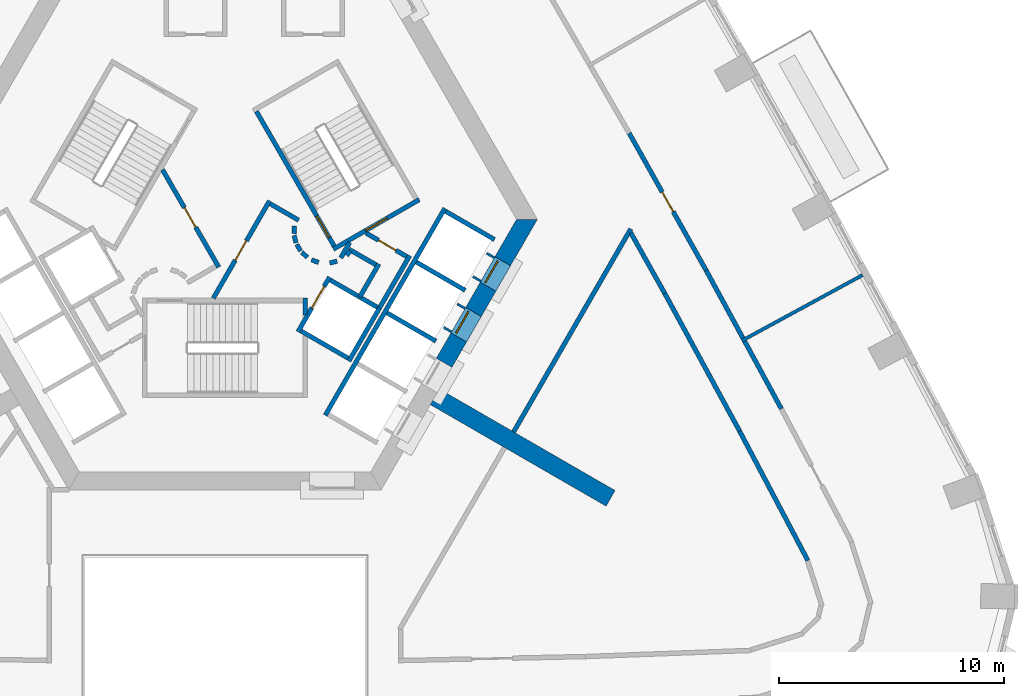
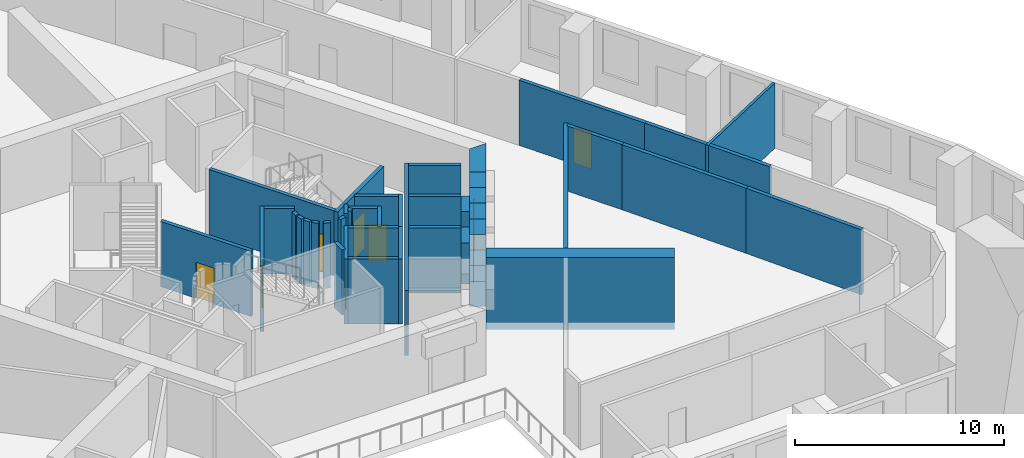
# One storey, part 7 of 14: 42 walls, 9 doors, 9 openings.
"""IFC4 building model written with IfcOpenShell, lengths in metres."""

from ifc_helpers import new_model, si_unit, direction, frame, frame_2d, origin, place, context, subcontext, project, spatial, polyline, rectangle, outline, extrude, material, layer, layer_set, type_object, element, fill, save


model = new_model("IFC4")

# Units and contexts
model_context = context("Model", 3, precision=1e-05, world=origin(), true_north=direction((0.0, 1.0)))
body_context = subcontext(model_context, "Body", "Model", "MODEL_VIEW")
ifc_project = project(units=[si_unit("LENGTHUNIT", "METRE"), si_unit("AREAUNIT", "SQUARE_METRE"), si_unit("VOLUMEUNIT", "CUBIC_METRE"), si_unit("PLANEANGLEUNIT", "RADIAN"), si_unit("MASSUNIT", "GRAM", prefix="KILO")], contexts=[model_context])

# Site, building, storey
site_placement = place(None, origin())
site = spatial("IfcSite", under=ifc_project, at=site_placement, CompositionType="ELEMENT")
building_placement = place(site_placement, origin())
building = spatial("IfcBuilding", under=site, at=building_placement, Name="Entoto Arch Interchange Tower", CompositionType="ELEMENT")
storey_placement = place(building_placement, frame((0.0, 0.0, 163.39990234375)))
storey = spatial("IfcBuildingStorey", under=building, at=storey_placement, Name="L36", CompositionType="ELEMENT", Elevation=163.39990234375)

# Walls
ifc_material_1 = material(Name="Concrete C50/60", Category="concrete")
ifc_layer_1 = layer(ifc_material_1, 0.800048828125)
ifc_layer_set_1 = layer_set([ifc_layer_1], Name="Concrete C50/60")
wall_type_1 = type_object("IfcWallType", Name="Buttress wall 800 C50/60", PredefinedType="SHEAR", material=ifc_layer_set_1)
wall_1_placement = place(storey_placement, frame((9.31005859375, -5.375, -0.39990234375), z_axis=(0.0, 0.0, 1.0), x_axis=(0.866017533419, -0.500013631625, 0.0)))
element("IfcWall", 1, at=wall_1_placement, inside=storey, type_object=wall_type_1, Name="Buttress wall SE L36", PredefinedType="SHEAR", context=body_context, shape_type="SweptSolid", body=[
    extrude(rectangle(XDim=8.999755859375, YDim=0.800048828125, at=frame_2d((4.5, 0.0))), origin(), (0.0, 0.0, 1.0), 4.199951171875),
])
ifc_layer_2 = layer(ifc_material_1, 0.800048828125)
ifc_layer_set_2 = layer_set([ifc_layer_2], Name="Concrete C50/60")
wall_type_2 = type_object("IfcWallType", Name="Core wall 800 C50/60", PredefinedType="SHEAR", material=ifc_layer_set_2)
wall_2_placement = place(storey_placement, frame((0.0, 0.0, -0.39990234375)))
element("IfcWall", 2, at=wall_2_placement, inside=storey, type_object=wall_type_2, Name="Core wall SE L36", PredefinedType="SHEAR", context=body_context, shape_type="SweptSolid", body=[
    extrude(outline(polyline([(10.717041015625, -2.93701171875), (10.02490234375, -2.537109375), (9.3740234375, -3.6630859375), (10.06689453125, -4.06298828125), (10.717041015625, -2.93701171875)])), origin(), (0.0, 0.0, 1.0), 4.199951171875),
])
wall_3_placement = place(storey_placement, frame((0.0, 0.0, -0.39990234375)))
element("IfcWall", 3, at=wall_3_placement, inside=storey, type_object=wall_type_2, Name="Core wall SE L36", PredefinedType="SHEAR", context=body_context, shape_type="SweptSolid", body=[
    extrude(outline(polyline([(12.01708984375, -0.68603515625), (11.323974609375, -0.285888671875), (10.675048828125, -1.410888671875), (11.366943359375, -1.81103515625), (12.01708984375, -0.68603515625)])), origin(), (0.0, 0.0, 1.0), 4.199951171875),
])
wall_4_placement = place(storey_placement, frame((0.0, 0.0, -0.39990234375)))
element("IfcWall", 4, at=wall_4_placement, inside=storey, type_object=wall_type_2, Name="Core wall SE L36", PredefinedType="SHEAR", context=body_context, shape_type="SweptSolid", body=[
    extrude(outline(polyline([(11.97412109375, 0.840087890625), (12.6669921875, 0.43994140625), (13.85595703125, 2.5), (12.93310546875, 2.5), (11.97412109375, 0.840087890625)])), origin(), (0.0, 0.0, 1.0), 4.199951171875),
])
wall_5_placement = place(storey_placement, frame((0.0, 0.0, 3.60009765625)))
element("IfcWall", 5, at=wall_5_placement, inside=storey, type_object=wall_type_2, Name="Core wall lintel SE L36", PredefinedType="SHEAR", context=body_context, shape_type="SweptSolid", body=[
    extrude(outline(polyline([(11.366943359375, -1.81103515625), (10.675048828125, -1.410888671875), (10.02490234375, -2.537109375), (10.717041015625, -2.93701171875), (11.366943359375, -1.81103515625)])), origin(), (0.0, 0.0, 1.0), 0.199951171875),
])
wall_6_placement = place(storey_placement, frame((0.0, 0.0, 3.60009765625)))
element("IfcWall", 6, at=wall_6_placement, inside=storey, type_object=wall_type_2, Name="Core wall lintel SE L36", PredefinedType="SHEAR", context=body_context, shape_type="SweptSolid", body=[
    extrude(outline(polyline([(12.6669921875, 0.43994140625), (11.97412109375, 0.840087890625), (11.323974609375, -0.285888671875), (12.01708984375, -0.68603515625), (12.6669921875, 0.43994140625)])), origin(), (0.0, 0.0, 1.0), 0.199951171875),
])

# Wall, opening, door
ifc_material_2 = material(Name="Concrete C40/50", Category="concrete")
ifc_layer_3 = layer(ifc_material_2, 1.199951171875)
ifc_layer_set_3 = layer_set([ifc_layer_3], Name="Concrete C40/50")
wall_type_3 = type_object("IfcWallType", Name="LIFT LANDING INFILL WALL", PredefinedType="STANDARD", material=ifc_layer_set_3)
wall_7_placement = place(storey_placement, frame((10.197998046875, -2.636962890625, 0.0), z_axis=(0.0, 0.0, 1.0), x_axis=(0.49989585183, 0.866085525409, 0.0)))
wall_7 = element("IfcWall", 7, at=wall_7_placement, inside=storey, type_object=wall_type_3, Name="Lift landing infill wall LR7 L36", PredefinedType="STANDARD", context=body_context, shape_type="SweptSolid", body=[
    extrude(rectangle(XDim=1.300048828125, YDim=1.199951171875, at=frame_2d((0.64990234375, 0.0))), origin(), (0.0, 0.0, 1.0), 2.400146484375),
])
opening_1_placement = place(wall_7_placement, frame((0.10009765625, 0.0, 0.0)))
opening_1 = element("IfcOpeningElement", 8, at=opening_1_placement, cuts=wall_7, Name="Opening LD-LR7-L36", PredefinedType="OPENING", context=body_context, shape_type="SweptSolid", body=[
    extrude(rectangle(XDim=1.10009765625, YDim=2.300048828125, at=frame_2d((0.550048828125, 1.14990234375))), frame((0.0, 0.60986328125, 0.0), z_axis=(0.0, -1.0, 0.0), x_axis=(1.0, 0.0, 0.0)), (0.0, 0.0, 1.0), 1.219970703125),
])
ifc_material_3 = material(Name="Stainless steel 1.4301 panels", Category="steel")
door_type_1 = type_object("IfcDoorType", Name="LIFT LANDING DOOR LD2 1100x2300", OperationType="SLIDING_TO_LEFT", PredefinedType="DOOR", material=ifc_material_3)
door_1_placement = place(opening_1_placement, origin())
door_1 = element("IfcDoor", 9, at=door_1_placement, inside=storey, type_object=door_type_1, Name="Lift landing door LR7 L36", OperationType="SLIDING_TO_LEFT", OverallHeight=2.300048828125, OverallWidth=1.10009765625, PredefinedType="DOOR", context=body_context, shape_type="SweptSolid", body=[
    extrude(rectangle(XDim=1.10009765625, YDim=2.300048828125, at=frame_2d((0.550048828125, 1.14990234375))), frame((0.0, 0.02490234375, 0.0), z_axis=(0.0, -1.0, 0.0), x_axis=(1.0, 0.0, 0.0)), (0.0, 0.0, 1.0), 0.050048828125),
])
fill(opening_1, door_1)

wall_8_placement = place(storey_placement, frame((11.498046875, -0.385009765625, 0.0), z_axis=(0.0, 0.0, 1.0), x_axis=(0.500221244143, 0.865897630733, 0.0)))
wall_8 = element("IfcWall", 10, at=wall_8_placement, inside=storey, type_object=wall_type_3, Name="Lift landing infill wall LR8 L36", PredefinedType="STANDARD", context=body_context, shape_type="SweptSolid", body=[
    extrude(rectangle(XDim=1.29931640625, YDim=1.199951171875, at=frame_2d((0.649658203125, 0.0))), origin(), (0.0, 0.0, 1.0), 2.400146484375),
])
opening_2_placement = place(wall_8_placement, frame((0.10009765625, 0.0, 0.0)))
opening_2 = element("IfcOpeningElement", 11, at=opening_2_placement, cuts=wall_8, Name="Opening LD-LR8-L36", PredefinedType="OPENING", context=body_context, shape_type="SweptSolid", body=[
    extrude(rectangle(XDim=1.10009765625, YDim=2.300048828125, at=frame_2d((0.550048828125, 1.14990234375))), frame((0.0, 0.60986328125, 0.0), z_axis=(0.0, -1.0, 0.0), x_axis=(1.0, 0.0, 0.0)), (0.0, 0.0, 1.0), 1.219970703125),
])
door_2_placement = place(opening_2_placement, origin())
door_2 = element("IfcDoor", 12, at=door_2_placement, inside=storey, type_object=door_type_1, Name="Lift landing door LR8 L36", OperationType="SLIDING_TO_LEFT", OverallHeight=2.300048828125, OverallWidth=1.10009765625, PredefinedType="DOOR", context=body_context, shape_type="SweptSolid", body=[
    extrude(rectangle(XDim=1.10009765625, YDim=2.300048828125, at=frame_2d((0.550048828125, 1.14990234375))), frame((0.0, 0.02490234375, 0.0), z_axis=(0.0, -1.0, 0.0), x_axis=(1.0, 0.0, 0.0)), (0.0, 0.0, 1.0), 0.050048828125),
])
fill(opening_2, door_2)

ifc_layer_4 = layer(ifc_material_2, 0.199951171875)
ifc_layer_set_4 = layer_set([ifc_layer_4], Name="Concrete C40/50")
wall_type_4 = type_object("IfcWallType", Name="LIFT SHAFT WALL 200", PredefinedType="STANDARD", material=ifc_layer_set_4)
wall_9_placement = place(storey_placement, frame((3.239990234375, -2.488037109375, 0.0), z_axis=(0.0, 0.0, 1.0), x_axis=(0.49994636267, 0.866056369097, 0.0)))
wall_9 = element("IfcWall", 13, at=wall_9_placement, inside=storey, type_object=wall_type_4, Name="Shaft wall SE1 front", PredefinedType="STANDARD", context=body_context, shape_type="SweptSolid", body=[
    extrude(rectangle(XDim=2.800048828125, YDim=0.199951171875, at=frame_2d((1.39990234375, 0.0))), origin(), (0.0, 0.0, 1.0), 3.800048828125),
])
opening_3_placement = place(wall_9_placement, frame((1.22509765625, 0.0, 0.0)))
opening_3 = element("IfcOpeningElement", 14, at=opening_3_placement, cuts=wall_9, Name="Opening LD-FF1-L36", PredefinedType="OPENING", context=body_context, shape_type="SweptSolid", body=[
    extrude(rectangle(XDim=1.10009765625, YDim=2.10009765625, at=frame_2d((0.550048828125, 1.050048828125))), frame((0.0, 0.10986328125, 0.0), z_axis=(0.0, -1.0, 0.0), x_axis=(1.0, 0.0, 0.0)), (0.0, 0.0, 1.0), 0.219970703125),
])
door_type_2 = type_object("IfcDoorType", Name="LIFT LANDING DOOR LD1 1100x2100", OperationType="SLIDING_TO_LEFT", PredefinedType="DOOR", material=ifc_material_3)
door_3_placement = place(opening_3_placement, origin())
door_3 = element("IfcDoor", 15, at=door_3_placement, inside=storey, type_object=door_type_2, Name="Lift landing door FF1 L36", OperationType="SLIDING_TO_LEFT", OverallHeight=2.10009765625, OverallWidth=1.10009765625, PredefinedType="DOOR", context=body_context, shape_type="SweptSolid", body=[
    extrude(rectangle(XDim=1.10009765625, YDim=2.10009765625, at=frame_2d((0.550048828125, 1.050048828125))), frame((0.0, 0.02490234375, 0.0), z_axis=(0.0, -1.0, 0.0), x_axis=(1.0, 0.0, 0.0)), (0.0, 0.0, 1.0), 0.050048828125),
])
fill(opening_3, door_3)

# Walls
wall_10_placement = place(storey_placement, frame((5.491943359375, -3.7880859375, 0.0), z_axis=(0.0, 0.0, 1.0), x_axis=(0.500011755427, 0.866018616679, 0.0)))
element("IfcWall", 16, at=wall_10_placement, inside=storey, type_object=wall_type_4, Name="Shaft wall SE1 back", PredefinedType="STANDARD", context=body_context, shape_type="SweptSolid", body=[
    extrude(rectangle(XDim=2.80029296875, YDim=0.199951171875, at=frame_2d((1.400146484375, 0.0))), origin(), (0.0, 0.0, 1.0), 3.800048828125),
])
wall_11_placement = place(storey_placement, frame((3.376953125, -2.451904296875, 0.0), z_axis=(0.0, 0.0, 1.0), x_axis=(0.865955154139, -0.50012165622, 0.0)))
element("IfcWall", 17, at=wall_11_placement, inside=storey, type_object=wall_type_4, Name="Shaft wall SE1 cross 1", PredefinedType="STANDARD", context=body_context, shape_type="SweptSolid", body=[
    extrude(rectangle(XDim=2.39990234375, YDim=0.199951171875, at=frame_2d((1.199951171875, 0.0))), origin(), (0.0, 0.0, 1.0), 3.800048828125),
])
wall_12_placement = place(storey_placement, frame((4.677001953125, -0.199951171875, 0.0), z_axis=(0.0, 0.0, 1.0), x_axis=(0.865973769406, -0.500089422704, 0.0)))
element("IfcWall", 18, at=wall_12_placement, inside=storey, type_object=wall_type_4, Name="Shaft wall SE1 cross 2", PredefinedType="STANDARD", context=body_context, shape_type="SweptSolid", body=[
    extrude(rectangle(XDim=2.3994140625, YDim=0.199951171875, at=frame_2d((1.19970703125, 0.0))), origin(), (0.0, 0.0, 1.0), 3.800048828125),
])
wall_13_placement = place(storey_placement, frame((4.450927734375, -6.18994140625, 0.0), z_axis=(0.0, 0.0, 1.0), x_axis=(0.50000090737, 0.866024879913, 0.0)))
element("IfcWall", 19, at=wall_13_placement, inside=storey, type_object=wall_type_4, Name="Shaft wall SE3 front", PredefinedType="STANDARD", context=body_context, shape_type="SweptSolid", body=[
    extrude(rectangle(XDim=10.60009765625, YDim=0.199951171875, at=frame_2d((5.300048828125, 0.0))), origin(), (0.0, 0.0, 1.0), 3.800048828125),
])
for number, where, z_axis, x_axis, name in (
    (20, (7.18798828125, -1.64990234375, 0.0), (0.0, 0.0, 1.0), (0.866022959057, -0.500004234368, 0.0), "Shaft wall SE3 cross 3"),
    (21, (8.488037109375, 0.60205078125, 0.0), (0.0, 0.0, 1.0), (0.866022959057, -0.500004234368, 0.0), "Shaft wall SE3 cross 4"),
):
    element("IfcWall", number, at=place(storey_placement, frame(where, z_axis=z_axis, x_axis=x_axis)), inside=storey, type_object=wall_type_4, Name=name, PredefinedType="STANDARD", context=body_context, shape_type="SweptSolid", body=[
        extrude(rectangle(XDim=2.5, YDim=0.199951171875, at=frame_2d((1.25, 0.0))), origin(), (0.0, 0.0, 1.0), 3.800048828125),
    ])
wall_14_placement = place(storey_placement, frame((9.7880859375, 2.85302734375, 0.0), z_axis=(0.0, 0.0, 1.0), x_axis=(0.865998541277, -0.500046524342, 0.0)))
element("IfcWall", 22, at=wall_14_placement, inside=storey, type_object=wall_type_4, Name="Shaft wall SE3 cross 5", PredefinedType="STANDARD", context=body_context, shape_type="SweptSolid", body=[
    extrude(rectangle(XDim=2.499755859375, YDim=0.199951171875, at=frame_2d((1.25, 0.0))), origin(), (0.0, 0.0, 1.0), 3.800048828125),
])
ifc_material_4 = material(Name="Gypsum board partition on steel studs", Category="steel")
ifc_layer_5 = layer(ifc_material_4, 0.14990234375)
ifc_layer_set_5 = layer_set([ifc_layer_5], Name="Gypsum board partition on steel studs")
wall_type_5 = type_object("IfcWallType", Name="PARTITION 150", PredefinedType="PARTITIONING", material=ifc_layer_set_5)
wall_15_placement = place(storey_placement, frame((22.924072265625, -2.885009765625, 0.0), z_axis=(0.0, 0.0, 1.0), x_axis=(0.878512782244, 0.477718841406, 0.0)))
element("IfcWall", 23, at=wall_15_placement, inside=storey, type_object=wall_type_5, Name="wall:L36:p136", PredefinedType="PARTITIONING", context=body_context, shape_type="SweptSolid", body=[
    extrude(rectangle(XDim=6.099853515625, YDim=0.14990234375, at=frame_2d((3.0498046875, 0.0))), origin(), (0.0, 0.0, 1.0), 3.800048828125),
])
ifc_layer_6 = layer(ifc_material_4, 0.199951171875)
ifc_layer_set_6 = layer_set([ifc_layer_6], Name="Gypsum board partition on steel studs")
wall_type_6 = type_object("IfcWallType", Name="PARTITION 200", PredefinedType="PARTITIONING", material=ifc_layer_set_6)
wall_16_placement = place(storey_placement, frame((25.85400390625, -12.635009765625, 0.0), z_axis=(0.0, 0.0, 1.0), x_axis=(-0.466483047656, 0.884530138689, 0.0)))
element("IfcWall", 24, at=wall_16_placement, inside=storey, type_object=wall_type_6, Name="wall:L36:p024", PredefinedType="PARTITIONING", context=body_context, shape_type="SweptSolid", body=[
    extrude(rectangle(XDim=6.487060546875, YDim=0.199951171875, at=frame_2d((3.24365234375, 0.0))), origin(), (0.0, 0.0, 1.0), 3.800048828125),
])
wall_17_placement = place(storey_placement, frame((22.827880859375, -6.89697265625, 0.0), z_axis=(0.0, 0.0, 1.0), x_axis=(-0.477513909405, 0.878624189472, 0.0)))
element("IfcWall", 25, at=wall_17_placement, inside=storey, type_object=wall_type_6, Name="wall:L36:p025", PredefinedType="PARTITIONING", context=body_context, shape_type="SweptSolid", body=[
    extrude(rectangle(XDim=6.956298828125, YDim=0.199951171875, at=frame_2d((3.47802734375, 0.0))), origin(), (0.0, 0.0, 1.0), 3.800048828125),
])
wall_18_placement = place(storey_placement, frame((19.506103515625, -0.784912109375, 0.0), z_axis=(0.0, 0.0, 1.0), x_axis=(-0.489049603292, 0.872255974769, 0.0)))
element("IfcWall", 26, at=wall_18_placement, inside=storey, type_object=wall_type_6, Name="wall:L36:p026", PredefinedType="PARTITIONING", context=body_context, shape_type="SweptSolid", body=[
    extrude(rectangle(XDim=3.08154296875, YDim=0.199951171875, at=frame_2d((1.540771484375, 0.0))), origin(), (0.0, 0.0, 1.0), 3.800048828125),
])
wall_19_placement = place(storey_placement, frame((23.048095703125, -2.903076171875, 0.0), z_axis=(0.0, 0.0, 1.0), x_axis=(0.477470161865, -0.878647963936, 0.0)))
element("IfcWall", 27, at=wall_19_placement, inside=storey, type_object=wall_type_6, Name="wall:L36:p046", PredefinedType="PARTITIONING", context=body_context, shape_type="SweptSolid", body=[
    extrude(rectangle(XDim=3.417724609375, YDim=0.199951171875, at=frame_2d((1.708984375, 0.0))), origin(), (0.0, 0.0, 1.0), 3.800048828125),
])

# Wall, opening, door
wall_20_placement = place(storey_placement, frame((17.929931640625, 6.321044921875, 0.0), z_axis=(0.0, 0.0, 1.0), x_axis=(0.489044053781, -0.872259086202, 0.0)))
wall_20 = element("IfcWall", 28, at=wall_20_placement, inside=storey, type_object=wall_type_6, Name="wall:L36:p053", PredefinedType="PARTITIONING", context=body_context, shape_type="SweptSolid", body=[
    extrude(rectangle(XDim=6.983154296875, YDim=0.199951171875, at=frame_2d((3.49169921875, 0.0))), origin(), (0.0, 0.0, 1.0), 3.800048828125),
])
opening_4_placement = place(wall_20_placement, frame((2.990966796875, 0.0, 0.0)))
opening_4 = element("IfcOpeningElement", 29, at=opening_4_placement, cuts=wall_20, Name="Opening L36-D04", PredefinedType="OPENING", context=body_context, shape_type="SweptSolid", body=[
    extrude(rectangle(XDim=1.0, YDim=2.10009765625, at=frame_2d((0.5, 1.050048828125))), frame((0.0, 0.10986328125, 0.0), z_axis=(0.0, -1.0, 0.0), x_axis=(1.0, 0.0, 0.0)), (0.0, 0.0, 1.0), 0.219970703125),
])
ifc_material_5 = material(Name="Timber door leaf in Steel S235 frame", Category="steel")
door_type_3 = type_object("IfcDoorType", Name="DOOR DS-10 1000x2100", OperationType="SINGLE_SWING_LEFT", PredefinedType="DOOR", material=ifc_material_5)
door_4_placement = place(opening_4_placement, origin())
door_4 = element("IfcDoor", 30, at=door_4_placement, inside=storey, type_object=door_type_3, Name="door:L36:04", OperationType="SINGLE_SWING_LEFT", OverallHeight=2.10009765625, OverallWidth=1.0, PredefinedType="DOOR", context=body_context, shape_type="SweptSolid", body=[
    extrude(rectangle(XDim=1.0, YDim=2.10009765625, at=frame_2d((0.5, 1.050048828125))), frame((0.0, 0.02490234375, 0.0), z_axis=(0.0, -1.0, 0.0), x_axis=(1.0, 0.0, 0.0)), (0.0, 0.0, 1.0), 0.050048828125),
])
fill(opening_4, door_4)

# Walls
wall_21_placement = place(storey_placement, frame((21.344970703125, 0.22998046875, 0.0), z_axis=(0.0, 0.0, 1.0), x_axis=(0.477544508622, -0.878607558746, 0.0)))
element("IfcWall", 31, at=wall_21_placement, inside=storey, type_object=wall_type_6, Name="wall:L36:p054", PredefinedType="PARTITIONING", context=body_context, shape_type="SweptSolid", body=[
    extrude(rectangle(XDim=3.41552734375, YDim=0.199951171875, at=frame_2d((1.707763671875, 0.0))), origin(), (0.0, 0.0, 1.0), 3.800048828125),
])
wall_22_placement = place(storey_placement, frame((5.389892578125, 0.89794921875, 0.0), z_axis=(0.0, 0.0, 1.0), x_axis=(0.673828488714, 0.738887791073, 0.0)))
element("IfcWall", 32, at=wall_22_placement, inside=storey, type_object=wall_type_6, Name="wall:L36:p086", PredefinedType="PARTITIONING", context=body_context, shape_type="SweptSolid", body=[
    extrude(rectangle(XDim=0.2626953125, YDim=0.199951171875, at=frame_2d((0.13134765625, 0.0))), origin(), (0.0, 0.0, 1.0), 3.800048828125),
])
wall_23_placement = place(storey_placement, frame((5.4990234375, 1.172119140625, 0.0), z_axis=(0.0, 0.0, 1.0), x_axis=(0.866333505267, -0.499465972466, 0.0)))
element("IfcWall", 33, at=wall_23_placement, inside=storey, type_object=wall_type_6, Name="wall:L36:p087", PredefinedType="PARTITIONING", context=body_context, shape_type="SweptSolid", body=[
    extrude(rectangle(XDim=1.37353515625, YDim=0.199951171875, at=frame_2d((0.686767578125, 0.0))), origin(), (0.0, 0.0, 1.0), 3.800048828125),
])
wall_24_placement = place(storey_placement, frame((6.825927734375, 0.52197265625, 0.0), z_axis=(0.0, 0.0, 1.0), x_axis=(-0.500016722714, -0.866015748706, 0.0)))
element("IfcWall", 34, at=wall_24_placement, inside=storey, type_object=wall_type_6, Name="wall:L36:p088", PredefinedType="PARTITIONING", context=body_context, shape_type="SweptSolid", body=[
    extrude(rectangle(XDim=1.69970703125, YDim=0.199951171875, at=frame_2d((0.849853515625, 0.0))), origin(), (0.0, 0.0, 1.0), 3.800048828125),
])

# Wall, opening, door
wall_25_placement = place(storey_placement, frame((6.25, 1.89404296875, 0.0), z_axis=(0.0, 0.0, 1.0), x_axis=(0.866043184279, -0.499969202016, 0.0)))
wall_25 = element("IfcWall", 35, at=wall_25_placement, inside=storey, type_object=wall_type_6, Name="wall:L36:p089", PredefinedType="PARTITIONING", context=body_context, shape_type="SweptSolid", body=[
    extrude(rectangle(XDim=2.084228515625, YDim=0.199951171875, at=frame_2d((1.0419921875, 0.0))), origin(), (0.0, 0.0, 1.0), 3.800048828125),
])
opening_5_placement = place(wall_25_placement, frame((0.64208984375, 0.0, 0.0)))
opening_5 = element("IfcOpeningElement", 36, at=opening_5_placement, cuts=wall_25, Name="Opening L36-D29", PredefinedType="OPENING", context=body_context, shape_type="SweptSolid", body=[
    extrude(rectangle(XDim=0.89990234375, YDim=2.10009765625, at=frame_2d((0.449951171875, 1.050048828125))), frame((0.0, 0.10986328125, 0.0), z_axis=(0.0, -1.0, 0.0), x_axis=(1.0, 0.0, 0.0)), (0.0, 0.0, 1.0), 0.219970703125),
])
door_type_4 = type_object("IfcDoorType", Name="DOOR DS-09 900x2100", OperationType="SINGLE_SWING_LEFT", PredefinedType="DOOR", material=ifc_material_5)
door_5_placement = place(opening_5_placement, origin())
door_5 = element("IfcDoor", 37, at=door_5_placement, inside=storey, type_object=door_type_4, Name="door:L36:29", OperationType="SINGLE_SWING_LEFT", OverallHeight=2.10009765625, OverallWidth=0.89990234375, PredefinedType="DOOR", context=body_context, shape_type="SweptSolid", body=[
    extrude(rectangle(XDim=0.89990234375, YDim=2.10009765625, at=frame_2d((0.449951171875, 1.050048828125))), frame((0.0, 0.02490234375, 0.0), z_axis=(0.0, -1.0, 0.0), x_axis=(1.0, 0.0, 0.0)), (0.0, 0.0, 1.0), 0.050048828125),
])
fill(opening_5, door_5)

# Walls
wall_26_placement = place(storey_placement, frame((8.19189453125, 0.887939453125, 0.0), z_axis=(0.0, 0.0, 1.0), x_axis=(-0.499940625693, -0.866059680843, 0.0)))
element("IfcWall", 38, at=wall_26_placement, inside=storey, type_object=wall_type_6, Name="wall:L36:p090", PredefinedType="PARTITIONING", context=body_context, shape_type="SweptSolid", body=[
    extrude(rectangle(XDim=2.679931640625, YDim=0.199951171875, at=frame_2d((1.33984375, 0.0))), origin(), (0.0, 0.0, 1.0), 3.800048828125),
])
wall_27_placement = place(storey_placement, frame((5.135009765625, 0.79296875, 0.0), z_axis=(0.0, 0.0, 1.0), x_axis=(0.499526442893, 0.866298639529, 0.0)))
element("IfcWall", 39, at=wall_27_placement, inside=storey, type_object=wall_type_6, Name="wall:L36:p091", PredefinedType="PARTITIONING", context=body_context, shape_type="SweptSolid", body=[
    extrude(rectangle(XDim=0.790771484375, YDim=0.199951171875, at=frame_2d((0.3955078125, 0.0))), origin(), (0.0, 0.0, 1.0), 3.800048828125),
])

# Wall, opening, door
wall_28_placement = place(storey_placement, frame((-0.52001953125, -1.0, 0.0), z_axis=(0.0, 0.0, 1.0), x_axis=(0.50011622646, 0.865958290007, 0.0)))
wall_28 = element("IfcWall", 40, at=wall_28_placement, inside=storey, type_object=wall_type_6, Name="wall:L36:p100", PredefinedType="PARTITIONING", context=body_context, shape_type="SweptSolid", body=[
    extrude(rectangle(XDim=4.990966796875, YDim=0.199951171875, at=frame_2d((2.49560546875, 0.0))), origin(), (0.0, 0.0, 1.0), 3.800048828125),
])
opening_6_placement = place(wall_28_placement, frame((1.945068359375, 0.0, 0.0)))
opening_6 = element("IfcOpeningElement", 41, at=opening_6_placement, cuts=wall_28, Name="Opening L36-D25", PredefinedType="OPENING", context=body_context, shape_type="SweptSolid", body=[
    extrude(rectangle(XDim=1.0, YDim=2.10009765625, at=frame_2d((0.5, 1.050048828125))), frame((0.0, 0.10986328125, 0.0), z_axis=(0.0, -1.0, 0.0), x_axis=(1.0, 0.0, 0.0)), (0.0, 0.0, 1.0), 0.219970703125),
])
ifc_material_6 = material(Name="Fire-rated Steel S235 door and frame", Category="steel")
door_type_5 = type_object("IfcDoorType", Name="DOOR FD-10 1000x2100", OperationType="SINGLE_SWING_LEFT", PredefinedType="DOOR", material=ifc_material_6)
door_6_placement = place(opening_6_placement, origin())
door_6 = element("IfcDoor", 42, at=door_6_placement, inside=storey, type_object=door_type_5, Name="door:L36:25", OperationType="SINGLE_SWING_LEFT", OverallHeight=2.10009765625, OverallWidth=1.0, PredefinedType="DOOR", context=body_context, shape_type="SweptSolid", body=[
    extrude(rectangle(XDim=1.0, YDim=2.10009765625, at=frame_2d((0.5, 1.050048828125))), frame((0.0, 0.02490234375, 0.0), z_axis=(0.0, -1.0, 0.0), x_axis=(1.0, 0.0, 0.0)), (0.0, 0.0, 1.0), 0.050048828125),
])
fill(opening_6, door_6)

# Walls
wall_29_placement = place(storey_placement, frame((2.011962890625, 3.18603515625, 0.0), z_axis=(0.0, 0.0, 1.0), x_axis=(0.865891012941, -0.500232699559, 0.0)))
element("IfcWall", 43, at=wall_29_placement, inside=storey, type_object=wall_type_6, Name="wall:L36:p101", PredefinedType="PARTITIONING", context=body_context, shape_type="SweptSolid", body=[
    extrude(rectangle(XDim=1.449462890625, YDim=0.199951171875, at=frame_2d((0.724609375, 0.0))), origin(), (0.0, 0.0, 1.0), 3.800048828125),
])
wall_30_placement = place(storey_placement, frame((3.0791015625, 2.198974609375, 0.0), z_axis=(0.0, 0.0, 1.0), x_axis=(-0.047771483479, -0.998858290933, 0.0)))
element("IfcWall", 44, at=wall_30_placement, inside=storey, type_object=wall_type_6, Name="wall:L36:p102", PredefinedType="PARTITIONING", context=body_context, shape_type="SweptSolid", body=[
    extrude(rectangle(XDim=0.33740234375, YDim=0.199951171875, at=frame_2d((0.168701171875, 0.0))), origin(), (0.0, 0.0, 1.0), 3.800048828125),
])
wall_31_placement = place(storey_placement, frame((3.070068359375, 1.785888671875, 0.0), z_axis=(0.0, 0.0, 1.0), x_axis=(0.242705583207, -0.970099994784, 0.0)))
element("IfcWall", 45, at=wall_31_placement, inside=storey, type_object=wall_type_6, Name="wall:L36:p103", PredefinedType="PARTITIONING", context=body_context, shape_type="SweptSolid", body=[
    extrude(rectangle(XDim=0.337890625, YDim=0.199951171875, at=frame_2d((0.1689453125, 0.0))), origin(), (0.0, 0.0, 1.0), 3.800048828125),
])
for number, where, z_axis, x_axis, name in (
    (46, (3.181884765625, 1.387939453125, 0.0), (0.0, 0.0, 1.0), (0.512474702713, -0.85870232274, 0.0), "wall:L36:p104"),
    (47, (3.404052734375, 1.0390625, 0.0), (0.0, 0.0, 1.0), (0.740267097712, -0.672312891476, 0.0), "wall:L36:p105"),
):
    element("IfcWall", number, at=place(storey_placement, frame(where, z_axis=z_axis, x_axis=x_axis)), inside=storey, type_object=wall_type_6, Name=name, PredefinedType="PARTITIONING", context=body_context, shape_type="SweptSolid", body=[
        extrude(rectangle(XDim=0.337646484375, YDim=0.199951171875, at=frame_2d((0.1689453125, 0.0))), origin(), (0.0, 0.0, 1.0), 3.800048828125),
    ])
wall_32_placement = place(storey_placement, frame((3.837890625, 0.701904296875, 0.0), z_axis=(0.0, 0.0, 1.0), x_axis=(0.941035081519, -0.338308993895, 0.0)))
element("IfcWall", 48, at=wall_32_placement, inside=storey, type_object=wall_type_6, Name="wall:L36:p106", PredefinedType="PARTITIONING", context=body_context, shape_type="SweptSolid", body=[
    extrude(rectangle(XDim=0.3369140625, YDim=0.199951171875, at=frame_2d((0.16845703125, 0.0))), origin(), (0.0, 0.0, 1.0), 3.800048828125),
])
wall_33_placement = place(storey_placement, frame((4.64404296875, 0.56396484375, 0.0), z_axis=(0.0, 0.0, 1.0), x_axis=(0.969929076366, 0.243387729394, 0.0)))
element("IfcWall", 49, at=wall_33_placement, inside=storey, type_object=wall_type_6, Name="wall:L36:p107", PredefinedType="PARTITIONING", context=body_context, shape_type="SweptSolid", body=[
    extrude(rectangle(XDim=0.337158203125, YDim=0.199951171875, at=frame_2d((0.16845703125, 0.0))), origin(), (0.0, 0.0, 1.0), 3.800048828125),
])

# Wall, opening, door
wall_34_placement = place(storey_placement, frame((-2.77099609375, 4.699951171875, 0.0), z_axis=(0.0, 0.0, 1.0), x_axis=(0.499969479948, -0.866043023828, 0.0)))
wall_34 = element("IfcWall", 50, at=wall_34_placement, inside=storey, type_object=wall_type_6, Name="wall:L36:p108", PredefinedType="PARTITIONING", context=body_context, shape_type="SweptSolid", body=[
    extrude(rectangle(XDim=4.990478515625, YDim=0.199951171875, at=frame_2d((2.4951171875, 0.0))), origin(), (0.0, 0.0, 1.0), 3.800048828125),
])
opening_7_placement = place(wall_34_placement, frame((1.945068359375, 0.0, 0.0)))
opening_7 = element("IfcOpeningElement", 51, at=opening_7_placement, cuts=wall_34, Name="Opening L36-D26", PredefinedType="OPENING", context=body_context, shape_type="SweptSolid", body=[
    extrude(rectangle(XDim=1.0, YDim=2.10009765625, at=frame_2d((0.5, 1.050048828125))), frame((0.0, 0.10986328125, 0.0), z_axis=(0.0, -1.0, 0.0), x_axis=(1.0, 0.0, 0.0)), (0.0, 0.0, 1.0), 0.219970703125),
])
door_7_placement = place(opening_7_placement, origin())
door_7 = element("IfcDoor", 52, at=door_7_placement, inside=storey, type_object=door_type_5, Name="door:L36:26", OperationType="SINGLE_SWING_RIGHT", OverallHeight=2.10009765625, OverallWidth=1.0, PredefinedType="DOOR", context=body_context, shape_type="SweptSolid", body=[
    extrude(rectangle(XDim=1.0, YDim=2.10009765625, at=frame_2d((0.5, 1.050048828125))), frame((0.0, 0.02490234375, 0.0), z_axis=(0.0, -1.0, 0.0), x_axis=(1.0, 0.0, 0.0)), (0.0, 0.0, 1.0), 0.050048828125),
])
fill(opening_7, door_7)

# Walls
wall_35_placement = place(storey_placement, frame((18.0, 2.076904296875, 0.0), z_axis=(0.0, 0.0, 1.0), x_axis=(-0.499959557847, -0.866048751813, 0.0)))
element("IfcWall", 53, at=wall_35_placement, inside=storey, type_object=wall_type_6, Name="wall:L36:p121", PredefinedType="PARTITIONING", context=body_context, shape_type="SweptSolid", body=[
    extrude(rectangle(XDim=10.398681640625, YDim=0.199951171875, at=frame_2d((5.19921875, 0.0))), origin(), (0.0, 0.0, 1.0), 3.800048828125),
])
ifc_layer_7 = layer(ifc_material_2, 0.199951171875)
ifc_layer_set_7 = layer_set([ifc_layer_7], Name="Concrete C40/50")
wall_type_7 = type_object("IfcWallType", Name="STAIR ENCLOSURE WALL 200", PredefinedType="STANDARD", material=ifc_layer_set_7)
wall_36_placement = place(storey_placement, frame((3.550048828125, -1.0, 0.0), z_axis=(0.0, 0.0, 1.0), x_axis=(0.0, -1.0, 0.0)))
element("IfcWall", 54, at=wall_36_placement, inside=storey, type_object=wall_type_7, Name="Stair wall ST-S far return", PredefinedType="STANDARD", context=body_context, shape_type="SweptSolid", body=[
    extrude(rectangle(XDim=0.7509765625, YDim=0.199951171875, at=frame_2d((0.37548828125, 0.0))), origin(), (0.0, 0.0, 1.0), 3.800048828125),
])

# Wall, opening, door
wall_37_placement = place(storey_placement, frame((4.805908203125, 1.176025390625, 0.0), z_axis=(0.0, 0.0, 1.0), x_axis=(0.866059941101, 0.499940174841, 0.0)))
wall_37 = element("IfcWall", 55, at=wall_37_placement, inside=storey, type_object=wall_type_7, Name="Stair wall ST-NE near", PredefinedType="STANDARD", context=body_context, shape_type="SweptSolid", body=[
    extrude(rectangle(XDim=4.400390625, YDim=0.199951171875, at=frame_2d((2.2001953125, 0.0))), origin(), (0.0, 0.0, 1.0), 3.800048828125),
])
opening_8_placement = place(wall_37_placement, frame((1.64990234375, 0.0, 0.0)))
opening_8 = element("IfcOpeningElement", 56, at=opening_8_placement, cuts=wall_37, Name="Opening SD-ST-NE-L36-E", PredefinedType="OPENING", context=body_context, shape_type="SweptSolid", body=[
    extrude(rectangle(XDim=1.10009765625, YDim=2.199951171875, at=frame_2d((0.550048828125, 1.10009765625))), frame((0.0, 0.10986328125, 0.0), z_axis=(0.0, -1.0, 0.0), x_axis=(1.0, 0.0, 0.0)), (0.0, 0.0, 1.0), 0.219970703125),
])
ifc_material_7 = material(Name="Steel S235", Category="steel")
door_type_6 = type_object("IfcDoorType", Name="STAIR DOOR SD1 1100x2200", OperationType="SINGLE_SWING_LEFT", PredefinedType="DOOR", material=ifc_material_7)
door_8_placement = place(opening_8_placement, origin())
door_8 = element("IfcDoor", 57, at=door_8_placement, inside=storey, type_object=door_type_6, Name="Stair door ST-NE L36 end", OperationType="SINGLE_SWING_LEFT", OverallHeight=2.199951171875, OverallWidth=1.10009765625, PredefinedType="DOOR", context=body_context, shape_type="SweptSolid", body=[
    extrude(rectangle(XDim=1.10009765625, YDim=2.199951171875, at=frame_2d((0.550048828125, 1.10009765625))), frame((0.0, 0.02490234375, 0.0), z_axis=(0.0, -1.0, 0.0), x_axis=(1.0, 0.0, 0.0)), (0.0, 0.0, 1.0), 0.050048828125),
])
fill(opening_8, door_8)

wall_38_placement = place(storey_placement, frame((4.843017578125, 1.31201171875, 0.0), z_axis=(0.0, 0.0, 1.0), x_axis=(-0.499963383562, 0.866046543262, 0.0)))
wall_38 = element("IfcWall", 58, at=wall_38_placement, inside=storey, type_object=wall_type_7, Name="Stair wall ST-NE hall", PredefinedType="STANDARD", context=body_context, shape_type="SweptSolid", body=[
    extrude(rectangle(XDim=6.900390625, YDim=0.199951171875, at=frame_2d((3.4501953125, 0.0))), origin(), (0.0, 0.0, 1.0), 3.800048828125),
])
opening_9_placement = place(wall_38_placement, frame((0.449951171875, 0.0, 0.0)))
opening_9 = element("IfcOpeningElement", 59, at=opening_9_placement, cuts=wall_38, Name="Opening SD-ST-NE-L36", PredefinedType="OPENING", context=body_context, shape_type="SweptSolid", body=[
    extrude(rectangle(XDim=1.10009765625, YDim=2.199951171875, at=frame_2d((0.550048828125, 1.10009765625))), frame((0.0, 0.10986328125, 0.0), z_axis=(0.0, -1.0, 0.0), x_axis=(1.0, 0.0, 0.0)), (0.0, 0.0, 1.0), 0.219970703125),
])
door_9_placement = place(opening_9_placement, origin())
door_9 = element("IfcDoor", 60, at=door_9_placement, inside=storey, type_object=door_type_6, Name="Stair door ST-NE L36", OperationType="SINGLE_SWING_LEFT", OverallHeight=2.199951171875, OverallWidth=1.10009765625, PredefinedType="DOOR", context=body_context, shape_type="SweptSolid", body=[
    extrude(rectangle(XDim=1.10009765625, YDim=2.199951171875, at=frame_2d((0.550048828125, 1.10009765625))), frame((0.0, 0.02490234375, 0.0), z_axis=(0.0, -1.0, 0.0), x_axis=(1.0, 0.0, 0.0)), (0.0, 0.0, 1.0), 0.050048828125),
])
fill(opening_9, door_9)

save(model, "model.ifc")
